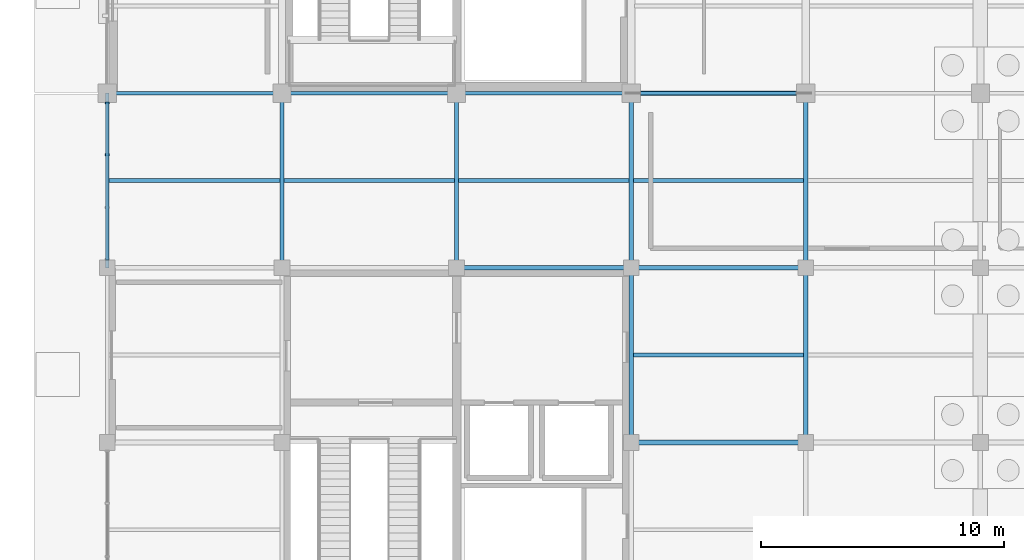
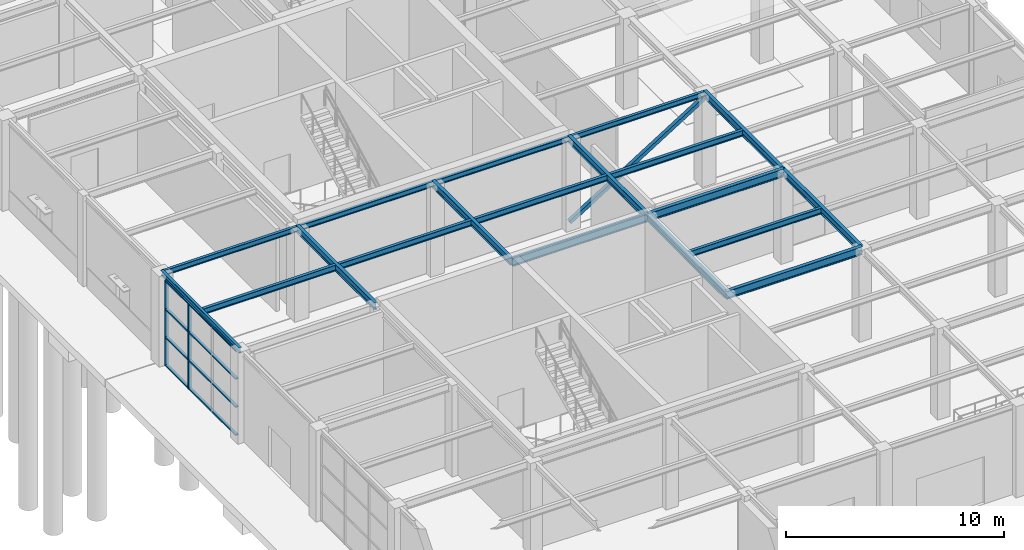
# One storey, part 29 of 75: 19 beams, 7 members, 1 element without a shape of its own.
"""IFC4 building model written with IfcOpenShell, lengths in metres."""

import ifcopenshell
import ifcopenshell.guid

model = None  # the IFC model being written
_history = None  # IfcOwnerHistory: only IFC2X3 demands one
_inside = {}  # id of a spatial element -> (the spatial element, [elements in it])
_under = {}  # id of a project, library or spatial element -> (it, [spatial elements below it])
_declared = {}  # id of a project -> (the project, [libraries it declares])
_typed = {}  # id of a type object -> (the type object, [elements of that type])
_made_of = {}  # id of a material, layer set ... -> (it, [elements and type objects made of it])


def new_model(schema):
    """Start an empty IFC model of exactly this schema.

    Asked for "IFC4X3", IfcOpenShell would pick the latest addendum, in which some entities
    have other attributes; the version numbers below select the first issue.
    IFC2X3 requires an IfcOwnerHistory on every rooted entity: one is made here for all.
    """
    global model, _history
    if schema == "IFC4X3":
        model = ifcopenshell.file(schema_version=(4, 3, 0, 0))
    else:
        model = ifcopenshell.file(schema=schema)
    _inside.clear()
    _under.clear()
    _declared.clear()
    _typed.clear()
    _made_of.clear()
    _history = None
    if model.schema == "IFC2X3":
        org = make("IfcOrganization", Name="unknown")
        user = make(
            "IfcPersonAndOrganization",
            ThePerson=make("IfcPerson", FamilyName="unknown"),
            TheOrganization=org,
        )
        app = make(
            "IfcApplication",
            ApplicationDeveloper=org,
            Version="unknown",
            ApplicationFullName="unknown",
            ApplicationIdentifier="unknown",
        )
        _history = make(
            "IfcOwnerHistory",
            OwningUser=user,
            OwningApplication=app,
            ChangeAction="ADDED",
            CreationDate=0,
        )
    return model


def make(cls, **values):
    """One entity of the class cls with the attributes given. An attribute that is None is left unset."""
    return model.create_entity(
        cls, **{name: value for name, value in values.items() if value is not None}
    )


def rooted(cls, **values):
    """An entity with a GlobalId (a new one), such as an element, a storey or a relation."""
    return make(cls, GlobalId=ifcopenshell.guid.new(), OwnerHistory=_history, **values)


def si_unit(unit_type, name, prefix=None):
    """IfcSIUnit, for example si_unit("LENGTHUNIT", "METRE", prefix="MILLI")."""
    return make("IfcSIUnit", UnitType=unit_type, Prefix=prefix, Name=name)


def assignment(units):
    """IfcUnitAssignment: the units of a project."""
    return None if units is None else make("IfcUnitAssignment", Units=units)


def point(xyz):
    """IfcCartesianPoint."""
    return None if xyz is None else make("IfcCartesianPoint", Coordinates=xyz)


def direction(xyz):
    """IfcDirection."""
    return None if xyz is None else make("IfcDirection", DirectionRatios=xyz)


def frame(location, z_axis=None, x_axis=None):
    """IfcAxis2Placement3D, a coordinate frame: its origin and axes. An axis left out is left unset."""
    return make(
        "IfcAxis2Placement3D",
        Location=point(location),
        Axis=direction(z_axis),
        RefDirection=direction(x_axis),
    )


def frame_2d(location, x_axis=None):
    """IfcAxis2Placement2D, a coordinate frame in the plane: its origin and x axis."""
    return make(
        "IfcAxis2Placement2D", Location=point(location), RefDirection=direction(x_axis)
    )


def origin():
    """The frame at (0, 0, 0) with its axes left unset."""
    return frame((0.0, 0.0, 0.0))


def origin_2d():
    """The frame at (0, 0) in the plane with its x axis left unset."""
    return frame_2d((0.0, 0.0))


def place(relative_to, where):
    """IfcLocalPlacement: puts the frame where relative to a parent placement (None: the world)."""
    return make(
        "IfcLocalPlacement", PlacementRelTo=relative_to, RelativePlacement=where
    )


def context(
    kind, dimensions, precision=None, world=None, true_north=None, identifier=None
):
    """IfcGeometricRepresentationContext, for example the 3D "Model" context."""
    return make(
        "IfcGeometricRepresentationContext",
        ContextIdentifier=identifier,
        ContextType=kind,
        CoordinateSpaceDimension=dimensions,
        Precision=precision,
        WorldCoordinateSystem=world,
        TrueNorth=true_north,
    )


def subcontext(parent, identifier, kind, view, scale=None):
    """IfcGeometricRepresentationSubContext, for example "Body" below "Model"."""
    return make(
        "IfcGeometricRepresentationSubContext",
        ContextIdentifier=identifier,
        ContextType=kind,
        ParentContext=parent,
        TargetScale=scale,
        TargetView=view,
    )


def project(units=None, contexts=None):
    """IfcProject with its units and contexts."""
    return rooted(
        "IfcProject",
        Name="project",
        RepresentationContexts=contexts,
        UnitsInContext=assignment(units),
    )


def spatial(cls, under=None, at=None, **own):
    """A site, building, storey or space (cls), placed at a placement, below another one or the project."""
    s = rooted(cls, ObjectPlacement=at, **own)
    if under is not None:
        _under.setdefault(under.id(), (under, []))[1].append(s)
    return s


def profile(cls, at=None, kind="AREA", **sizes):
    """A parametric profile (cls). Its sizes go by their IFC names, for example OverallWidth=200.0."""
    return make(cls, ProfileType=kind, Position=at, **sizes)


def rectangle(**sizes):
    """IfcRectangleProfileDef."""
    return profile("IfcRectangleProfileDef", **sizes)


def hollow_rectangle(**sizes):
    """IfcRectangleHollowProfileDef."""
    return profile("IfcRectangleHollowProfileDef", **sizes)


def i_section(**sizes):
    """IfcIShapeProfileDef."""
    return profile("IfcIShapeProfileDef", **sizes)


def extrude(swept, where, along, depth):
    """IfcExtrudedAreaSolid: the profile swept, set in the frame where, extruded along a direction by depth."""
    return make(
        "IfcExtrudedAreaSolid",
        SweptArea=swept,
        Position=where,
        ExtrudedDirection=direction(along),
        Depth=depth,
    )


def shape(context_of_items, identifier, shape_type, items):
    """IfcShapeRepresentation: the items that make up one representation, for example the "Body"."""
    return make(
        "IfcShapeRepresentation",
        ContextOfItems=context_of_items,
        RepresentationIdentifier=identifier,
        RepresentationType=shape_type,
        Items=items,
    )


def material(Name=None, Category=None):
    """IfcMaterial."""
    return make("IfcMaterial", Name=Name, Category=Category)


def material_profile(
    of_material, cross_section, Name=None, Category=None, Priority=None
):
    """IfcMaterialProfile: a cross section and its material."""
    return make(
        "IfcMaterialProfile",
        Name=Name,
        Material=of_material,
        Profile=cross_section,
        Priority=Priority,
        Category=Category,
    )


def profile_set(profiles, Name=None, composite=None):
    """IfcMaterialProfileSet."""
    return make(
        "IfcMaterialProfileSet",
        Name=Name,
        MaterialProfiles=profiles,
        CompositeProfile=composite,
    )


def made_of(thing, what):
    """Note that an element or type object is made of a material, layer set ...; save() writes the relation."""
    if what is not None:
        _made_of.setdefault(what.id(), (what, []))[1].append(thing)
    return thing


def type_object(cls, material=None, **own):
    """A type object (cls), such as IfcWallType, which elements share."""
    return made_of(rooted(cls, **own), material)


def element(
    cls,
    number,
    at=None,
    inside=None,
    cuts=None,
    type_object=None,
    material=None,
    context=None,
    identifier="Body",
    shape_type=None,
    held_by="IfcProductDefinitionShape",
    body=None,
    shapes=None,
    **own,
):
    """One element of the class cls, such as IfcWall. Its Tag is "e" and its number.

    at: its placement. inside: the storey or other place that contains it. cuts: it is an
    opening in that element (IfcRelVoidsElement). A single representation is given by context,
    identifier, shape_type and body (its items); several are given by shapes. held_by: the class
    of the entity that holds the representations. save() writes the other relations.
    """
    e = rooted(cls, Tag="e%d" % number, ObjectPlacement=at, **own)
    if body is not None:
        shapes = [shape(context, identifier, shape_type, body)]
    if shapes is not None:
        e.Representation = make(held_by, Representations=shapes)
    if inside is not None:
        _inside.setdefault(inside.id(), (inside, []))[1].append(e)
    if cuts is not None:
        rooted(
            "IfcRelVoidsElement", RelatingBuildingElement=cuts, RelatedOpeningElement=e
        )
    if type_object is not None:
        _typed.setdefault(type_object.id(), (type_object, []))[1].append(e)
    return made_of(e, material)


def aggregate(whole, parts):
    """IfcRelAggregates: a whole, such as a stair, and the parts it consists of."""
    return rooted("IfcRelAggregates", RelatingObject=whole, RelatedObjects=parts)


def save(model, path):
    """Write the relations noted so far, then the file.

    IfcRelAggregates (storeys below a building ...), IfcRelContainedInSpatialStructure (elements
    in a storey), IfcRelDefinesByType, IfcRelAssociatesMaterial and IfcRelDeclares: one each for
    every whole, place, type object, material and project.
    """
    for whole, parts in _under.values():
        aggregate(whole, parts)
    for where, things in _inside.values():
        rooted(
            "IfcRelContainedInSpatialStructure",
            RelatedElements=things,
            RelatingStructure=where,
        )
    for kind, things in _typed.values():
        rooted("IfcRelDefinesByType", RelatedObjects=things, RelatingType=kind)
    for what, things in _made_of.values():
        rooted("IfcRelAssociatesMaterial", RelatedObjects=things, RelatingMaterial=what)
    for by, libraries in _declared.values():
        rooted("IfcRelDeclares", RelatingContext=by, RelatedDefinitions=libraries)
    model.write(path)


model = new_model("IFC4")

# Units and contexts
model_context = context("Model", 3, precision=1e-05, world=origin(), true_north=direction((0.0, 1.0)))
body_context = subcontext(model_context, "Body", "Model", "MODEL_VIEW")
ifc_project = project(units=[si_unit("LENGTHUNIT", "METRE"), si_unit("AREAUNIT", "SQUARE_METRE"), si_unit("VOLUMEUNIT", "CUBIC_METRE"), si_unit("PLANEANGLEUNIT", "RADIAN"), si_unit("MASSUNIT", "GRAM", prefix="KILO")], contexts=[model_context])

# Site, building, storey
site_placement = place(None, origin())
site = spatial("IfcSite", under=ifc_project, at=site_placement, CompositionType="ELEMENT")
building_placement = place(site_placement, origin())
building = spatial("IfcBuilding", under=site, at=building_placement, Name="Leyfeld Transit Interchange", CompositionType="ELEMENT")
storey_placement = place(building_placement, origin())
storey = spatial("IfcBuildingStorey", under=building, at=storey_placement, Name="L00", CompositionType="ELEMENT", Elevation=0.0)

# Beams
ifc_material_1 = material(Name="Steel S355J2", Category="steel")
ifc_material_profile_1 = material_profile(ifc_material_1, i_section(OverallWidth=0.14990234375, OverallDepth=0.300048828125, WebThickness=0.007080078125, FlangeThickness=0.0107421875, FilletRadius=0.014892578125, at=origin_2d()), Name="IPE 300")
ifc_profile_set_1 = profile_set([ifc_material_profile_1], Name="Steel S355J2")
beam_type_1 = type_object("IfcBeamType", Name="BM-STL-IPE300", PredefinedType="SPANDREL", material=ifc_profile_set_1)
beam_1_placement = place(storey_placement, frame((0.0, 86.39990234375, 4.969970703125), z_axis=(0.0, 1.0, 0.0), x_axis=(-1.0, 0.0, 0.0)))
element("IfcBeam", 1, at=beam_1_placement, inside=storey, type_object=beam_type_1, Name="Beam BM-L00-0000_0864-0000_0936", PredefinedType="SPANDREL", context=body_context, shape_type="SweptSolid", body=[
    extrude(i_section(OverallWidth=0.14990234375, OverallDepth=0.300048828125, WebThickness=0.007080078125, FlangeThickness=0.0107421875, FilletRadius=0.014892578125, at=origin_2d()), origin(), (0.0, 0.0, 1.0), 7.2001953125),
])
for number, where, z_axis, x_axis, name in (
    (2, (0.0, 93.60009765625, 4.929931640625), (1.0, 0.0, 0.0), (0.0, 1.0, 0.0), "Beam BM-L00-0000_0936-0072_0936"),
    (3, (7.199951171875, 93.60009765625, 4.929931640625), (1.0, 0.0, 0.0), (0.0, 1.0, 0.0), "Beam BM-L00-0072_0936-0144_0936"),
):
    element("IfcBeam", number, at=place(storey_placement, frame(where, z_axis=z_axis, x_axis=x_axis)), inside=storey, type_object=beam_type_1, Name=name, PredefinedType="SPANDREL", context=body_context, shape_type="SweptSolid", body=[
        extrude(i_section(OverallWidth=0.14990234375, OverallDepth=0.300048828125, WebThickness=0.007080078125, FlangeThickness=0.0107421875, FilletRadius=0.014892578125, at=origin_2d()), origin(), (0.0, 0.0, 1.0), 7.199951171875),
    ])
beam_2_placement = place(storey_placement, frame((14.39990234375, 93.60009765625, 4.929931640625), z_axis=(1.0, 0.0, 0.0), x_axis=(0.0, 1.0, 0.0)))
element("IfcBeam", 4, at=beam_2_placement, inside=storey, type_object=beam_type_1, Name="Beam BM-L00-0144_0936-0216_0936", PredefinedType="SPANDREL", context=body_context, shape_type="SweptSolid", body=[
    extrude(i_section(OverallWidth=0.14990234375, OverallDepth=0.300048828125, WebThickness=0.007080078125, FlangeThickness=0.0107421875, FilletRadius=0.014892578125, at=origin_2d()), origin(), (0.0, 0.0, 1.0), 7.2001953125),
])
beam_3_placement = place(storey_placement, frame((21.60009765625, 93.60009765625, 4.929931640625), z_axis=(1.0, 0.0, 0.0), x_axis=(0.0, 1.0, 0.0)))
element("IfcBeam", 5, at=beam_3_placement, inside=storey, type_object=beam_type_1, Name="Beam BM-L00-0216_0936-0288_0936", PredefinedType="SPANDREL", context=body_context, shape_type="SweptSolid", body=[
    extrude(i_section(OverallWidth=0.14990234375, OverallDepth=0.300048828125, WebThickness=0.007080078125, FlangeThickness=0.0107421875, FilletRadius=0.014892578125, at=origin_2d()), origin(), (0.0, 0.0, 1.0), 7.199951171875),
])
ifc_material_profile_2 = material_profile(ifc_material_1, i_section(OverallWidth=0.159912109375, OverallDepth=0.330078125, WebThickness=0.007568359375, FlangeThickness=0.011474609375, FilletRadius=0.01806640625, at=origin_2d()), Name="IPE 330")
ifc_profile_set_2 = profile_set([ifc_material_profile_2], Name="Steel S355J2")
beam_type_2 = type_object("IfcBeamType", Name="BM-STL-IPE330", PredefinedType="BEAM", material=ifc_profile_set_2)
beam_4_placement = place(storey_placement, frame((21.68701171875, 82.800048828125, 4.955078125), z_axis=(1.0, 0.0, 0.0), x_axis=(0.0, 1.0, 0.0)))
element("IfcBeam", 6, at=beam_4_placement, inside=storey, type_object=beam_type_2, Name="Beam BM-L00-0217_0828-0287_0828", PredefinedType="BEAM", context=body_context, shape_type="SweptSolid", body=[
    extrude(i_section(OverallWidth=0.159912109375, OverallDepth=0.330078125, WebThickness=0.007568359375, FlangeThickness=0.011474609375, FilletRadius=0.01806640625, at=origin_2d()), origin(), (0.0, 0.0, 1.0), 7.02587890625),
])
beam_5_placement = place(storey_placement, frame((0.072021484375, 90.0, 4.955078125), z_axis=(1.0, 0.0, 0.0), x_axis=(0.0, 1.0, 0.0)))
element("IfcBeam", 7, at=beam_5_placement, inside=storey, type_object=beam_type_2, Name="Beam BM-L00-0001_0900-0071_0900", PredefinedType="BEAM", context=body_context, shape_type="SweptSolid", body=[
    extrude(i_section(OverallWidth=0.159912109375, OverallDepth=0.330078125, WebThickness=0.007568359375, FlangeThickness=0.011474609375, FilletRadius=0.01806640625, at=origin_2d()), origin(), (0.0, 0.0, 1.0), 7.041015625),
])
for number, where, z_axis, x_axis, name in (
    (8, (7.287109375, 90.0, 4.955078125), (1.0, 0.0, 0.0), (0.0, 1.0, 0.0), "Beam BM-L00-0073_0900-0143_0900"),
    (9, (14.487060546875, 90.0, 4.955078125), (1.0, 0.0, 0.0), (0.0, 1.0, 0.0), "Beam BM-L00-0145_0900-0215_0900"),
    (10, (21.68701171875, 90.0, 4.955078125), (1.0, 0.0, 0.0), (0.0, 1.0, 0.0), "Beam BM-L00-0217_0900-0287_0900"),
):
    element("IfcBeam", number, at=place(storey_placement, frame(where, z_axis=z_axis, x_axis=x_axis)), inside=storey, type_object=beam_type_2, Name=name, PredefinedType="BEAM", context=body_context, shape_type="SweptSolid", body=[
        extrude(i_section(OverallWidth=0.159912109375, OverallDepth=0.330078125, WebThickness=0.007568359375, FlangeThickness=0.011474609375, FilletRadius=0.01806640625, at=origin_2d()), origin(), (0.0, 0.0, 1.0), 7.02587890625),
    ])
ifc_material_profile_3 = material_profile(ifc_material_1, i_section(OverallWidth=0.179931640625, OverallDepth=0.39990234375, WebThickness=0.008544921875, FlangeThickness=0.013427734375, FilletRadius=0.02099609375, at=origin_2d()), Name="IPE 400")
ifc_profile_set_3 = profile_set([ifc_material_profile_3], Name="Steel S355J2")
beam_type_3 = type_object("IfcBeamType", Name="BM-STL-IPE400", PredefinedType="BEAM", material=ifc_profile_set_3)
for number, where, z_axis, x_axis, name in (
    (11, (7.199951171875, 86.39990234375, 4.919921875), (0.0, 1.0, 0.0), (-1.0, 0.0, 0.0), "Beam BM-L00-0072_0864-0072_0936"),
    (12, (14.39990234375, 86.39990234375, 4.919921875), (0.0, 1.0, 0.0), (-1.0, 0.0, 0.0), "Beam BM-L00-0144_0864-0144_0936"),
):
    element("IfcBeam", number, at=place(storey_placement, frame(where, z_axis=z_axis, x_axis=x_axis)), inside=storey, type_object=beam_type_3, Name=name, PredefinedType="BEAM", context=body_context, shape_type="SweptSolid", body=[
        extrude(i_section(OverallWidth=0.179931640625, OverallDepth=0.39990234375, WebThickness=0.008544921875, FlangeThickness=0.013427734375, FilletRadius=0.02099609375, at=origin_2d()), origin(), (0.0, 0.0, 1.0), 7.2001953125),
    ])
beam_6_placement = place(storey_placement, frame((21.60009765625, 79.199951171875, 4.919921875), z_axis=(0.0, 1.0, 0.0), x_axis=(-1.0, 0.0, 0.0)))
element("IfcBeam", 13, at=beam_6_placement, inside=storey, type_object=beam_type_3, Name="Beam BM-L00-0216_0792-0216_0864", PredefinedType="BEAM", context=body_context, shape_type="SweptSolid", body=[
    extrude(i_section(OverallWidth=0.179931640625, OverallDepth=0.39990234375, WebThickness=0.008544921875, FlangeThickness=0.013427734375, FilletRadius=0.02099609375, at=origin_2d()), origin(), (0.0, 0.0, 1.0), 7.199951171875),
])
beam_7_placement = place(storey_placement, frame((21.60009765625, 86.39990234375, 4.919921875), z_axis=(0.0, 1.0, 0.0), x_axis=(-1.0, 0.0, 0.0)))
element("IfcBeam", 14, at=beam_7_placement, inside=storey, type_object=beam_type_3, Name="Beam BM-L00-0216_0864-0216_0936", PredefinedType="BEAM", context=body_context, shape_type="SweptSolid", body=[
    extrude(i_section(OverallWidth=0.179931640625, OverallDepth=0.39990234375, WebThickness=0.008544921875, FlangeThickness=0.013427734375, FilletRadius=0.02099609375, at=origin_2d()), origin(), (0.0, 0.0, 1.0), 7.2001953125),
])
beam_8_placement = place(storey_placement, frame((28.800048828125, 79.199951171875, 4.919921875), z_axis=(0.0, 1.0, 0.0), x_axis=(-1.0, 0.0, 0.0)))
element("IfcBeam", 15, at=beam_8_placement, inside=storey, type_object=beam_type_3, Name="Beam BM-L00-0288_0792-0288_0864", PredefinedType="BEAM", context=body_context, shape_type="SweptSolid", body=[
    extrude(i_section(OverallWidth=0.179931640625, OverallDepth=0.39990234375, WebThickness=0.008544921875, FlangeThickness=0.013427734375, FilletRadius=0.02099609375, at=origin_2d()), origin(), (0.0, 0.0, 1.0), 7.199951171875),
])
beam_9_placement = place(storey_placement, frame((28.800048828125, 86.39990234375, 4.919921875), z_axis=(0.0, 1.0, 0.0), x_axis=(-1.0, 0.0, 0.0)))
element("IfcBeam", 16, at=beam_9_placement, inside=storey, type_object=beam_type_3, Name="Beam BM-L00-0288_0864-0288_0936", PredefinedType="BEAM", context=body_context, shape_type="SweptSolid", body=[
    extrude(i_section(OverallWidth=0.179931640625, OverallDepth=0.39990234375, WebThickness=0.008544921875, FlangeThickness=0.013427734375, FilletRadius=0.02099609375, at=origin_2d()), origin(), (0.0, 0.0, 1.0), 7.2001953125),
])
ifc_material_profile_4 = material_profile(ifc_material_1, i_section(OverallWidth=0.18994140625, OverallDepth=0.449951171875, WebThickness=0.009521484375, FlangeThickness=0.0146484375, FilletRadius=0.02099609375, at=origin_2d()), Name="IPE 450")
ifc_profile_set_4 = profile_set([ifc_material_profile_4], Name="Steel S355J2")
beam_type_4 = type_object("IfcBeamType", Name="BM-STL-IPE450", PredefinedType="BEAM", material=ifc_profile_set_4)
beam_10_placement = place(storey_placement, frame((21.60009765625, 79.199951171875, 4.89501953125), z_axis=(1.0, 0.0, 0.0), x_axis=(0.0, 1.0, 0.0)))
element("IfcBeam", 17, at=beam_10_placement, inside=storey, type_object=beam_type_4, Name="Beam BM-L00-0216_0792-0288_0792", PredefinedType="BEAM", context=body_context, shape_type="SweptSolid", body=[
    extrude(i_section(OverallWidth=0.18994140625, OverallDepth=0.449951171875, WebThickness=0.009521484375, FlangeThickness=0.0146484375, FilletRadius=0.02099609375, at=origin_2d()), origin(), (0.0, 0.0, 1.0), 7.199951171875),
])
beam_11_placement = place(storey_placement, frame((14.39990234375, 86.39990234375, 4.89501953125), z_axis=(1.0, 0.0, 0.0), x_axis=(0.0, 1.0, 0.0)))
element("IfcBeam", 18, at=beam_11_placement, inside=storey, type_object=beam_type_4, Name="Beam BM-L00-0144_0864-0216_0864", PredefinedType="BEAM", context=body_context, shape_type="SweptSolid", body=[
    extrude(i_section(OverallWidth=0.18994140625, OverallDepth=0.449951171875, WebThickness=0.009521484375, FlangeThickness=0.0146484375, FilletRadius=0.02099609375, at=origin_2d()), origin(), (0.0, 0.0, 1.0), 7.2001953125),
])
beam_12_placement = place(storey_placement, frame((21.60009765625, 86.39990234375, 4.89501953125), z_axis=(1.0, 0.0, 0.0), x_axis=(0.0, 1.0, 0.0)))
element("IfcBeam", 19, at=beam_12_placement, inside=storey, type_object=beam_type_4, Name="Beam BM-L00-0216_0864-0288_0864", PredefinedType="BEAM", context=body_context, shape_type="SweptSolid", body=[
    extrude(i_section(OverallWidth=0.18994140625, OverallDepth=0.449951171875, WebThickness=0.009521484375, FlangeThickness=0.0146484375, FilletRadius=0.02099609375, at=origin_2d()), origin(), (0.0, 0.0, 1.0), 7.199951171875),
])

# Curtain wall, members
ifc_material_2 = material(Name="Anodised aluminium EN AW-6060 T66", Category="aluminium")
curtain_wall_type = type_object("IfcCurtainWallType", Name="CW-SYS-CYC-7200", PredefinedType="NOTDEFINED", material=ifc_material_2)
curtain_wall_placement = place(storey_placement, origin())
curtain_wall = element("IfcCurtainWall", 20, at=curtain_wall_placement, inside=storey, type_object=curtain_wall_type, Name="Curtain Wall CW-L00-008", PredefinedType="NOTDEFINED")
ifc_material_profile_5 = material_profile(ifc_material_2, rectangle(XDim=0.06494140625, YDim=0.179931640625, at=origin_2d()), Name="CW-M 65x180")
ifc_profile_set_5 = profile_set([ifc_material_profile_5], Name="Anodised aluminium EN AW-6060 T66")
member_type_1 = type_object("IfcMemberType", Name="CW-MUL-150x65", PredefinedType="MULLION", material=ifc_profile_set_5)
member_1_placement = place(storey_placement, frame((0.0, 91.061767578125, 0.0), z_axis=(0.0, 0.0, 1.0), x_axis=(0.0, 1.0, 0.0)))
member_1 = element("IfcMember", 21, at=member_1_placement, type_object=member_type_1, Name="Curtain Mullion CW-L00-008-M03", PredefinedType="MULLION", context=body_context, shape_type="SweptSolid", body=[
    extrude(rectangle(XDim=0.06494140625, YDim=0.179931640625, at=origin_2d()), origin(), (0.0, 0.0, 1.0), 4.7900390625),
])
member_2_placement = place(storey_placement, frame((0.0, 93.202392578125, 0.0), z_axis=(0.0, 0.0, 1.0), x_axis=(0.0, 1.0, 0.0)))
member_2 = element("IfcMember", 22, at=member_2_placement, type_object=member_type_1, Name="Curtain Mullion CW-L00-008-M04", PredefinedType="MULLION", context=body_context, shape_type="SweptSolid", body=[
    extrude(rectangle(XDim=0.06494140625, YDim=0.179931640625, at=origin_2d()), origin(), (0.0, 0.0, 1.0), 4.7900390625),
])
ifc_material_profile_6 = material_profile(ifc_material_2, rectangle(XDim=0.14990234375, YDim=0.06494140625, at=origin_2d()), Name="CW-TRN-135x65")
ifc_profile_set_6 = profile_set([ifc_material_profile_6], Name="Anodised aluminium EN AW-6060 T66")
member_type_2 = type_object("IfcMemberType", Name="CW-TRN-135x65", PredefinedType="USERDEFINED", material=ifc_profile_set_6)
member_3_placement = place(storey_placement, frame((0.0, 86.715087890625, 0.032470703125), z_axis=(0.0, 1.0, 0.0), x_axis=(-1.0, 0.0, 0.0)))
member_3 = element("IfcMember", 23, at=member_3_placement, type_object=member_type_2, Name="Curtain Transom CW-L00-008-T01", ObjectType="TRANSOM", PredefinedType="USERDEFINED", context=body_context, shape_type="SweptSolid", body=[
    extrude(rectangle(XDim=0.14990234375, YDim=0.06494140625, at=origin_2d()), origin(), (0.0, 0.0, 1.0), 6.52001953125),
])
member_4_placement = place(storey_placement, frame((0.0, 86.715087890625, 1.607421875), z_axis=(0.0, 1.0, 0.0), x_axis=(-1.0, 0.0, 0.0)))
member_4 = element("IfcMember", 24, at=member_4_placement, type_object=member_type_2, Name="Curtain Transom CW-L00-008-T02", ObjectType="TRANSOM", PredefinedType="USERDEFINED", context=body_context, shape_type="SweptSolid", body=[
    extrude(rectangle(XDim=0.14990234375, YDim=0.06494140625, at=origin_2d()), origin(), (0.0, 0.0, 1.0), 6.52001953125),
])
member_5_placement = place(storey_placement, frame((0.0, 86.715087890625, 3.1826171875), z_axis=(0.0, 1.0, 0.0), x_axis=(-1.0, 0.0, 0.0)))
member_5 = element("IfcMember", 25, at=member_5_placement, type_object=member_type_2, Name="Curtain Transom CW-L00-008-T03", ObjectType="TRANSOM", PredefinedType="USERDEFINED", context=body_context, shape_type="SweptSolid", body=[
    extrude(rectangle(XDim=0.14990234375, YDim=0.06494140625, at=origin_2d()), origin(), (0.0, 0.0, 1.0), 6.52001953125),
])
member_6_placement = place(storey_placement, frame((0.0, 86.715087890625, 4.757568359375), z_axis=(0.0, 1.0, 0.0), x_axis=(-1.0, 0.0, 0.0)))
member_6 = element("IfcMember", 26, at=member_6_placement, type_object=member_type_2, Name="Curtain Transom CW-L00-008-T04", ObjectType="TRANSOM", PredefinedType="USERDEFINED", context=body_context, shape_type="SweptSolid", body=[
    extrude(rectangle(XDim=0.14990234375, YDim=0.06494140625, at=origin_2d()), origin(), (0.0, 0.0, 1.0), 6.52001953125),
])
aggregate(curtain_wall, [member_1, member_2, member_3, member_4, member_5, member_6])

# Member
ifc_material_profile_7 = material_profile(ifc_material_1, hollow_rectangle(XDim=0.199951171875, YDim=0.199951171875, WallThickness=0.010009765625, at=origin_2d()), Name="SHS 200x200x10")
ifc_profile_set_7 = profile_set([ifc_material_profile_7], Name="Steel S355J2")
member_type_3 = type_object("IfcMemberType", Name="MEM-BRC-SHS200", PredefinedType="BRACE", material=ifc_profile_set_7)
member_7_placement = place(storey_placement, frame((21.60009765625, 93.60009765625, 0.25), z_axis=(0.847996688584, 0.0, 0.530001524668), x_axis=(0.0, 1.0, 0.0)))
element("IfcMember", 27, at=member_7_placement, inside=storey, type_object=member_type_3, Name="Lateral Diagonal Brace 001", PredefinedType="BRACE", context=body_context, shape_type="SweptSolid", body=[
    extrude(hollow_rectangle(XDim=0.199951171875, YDim=0.199951171875, WallThickness=0.010009765625, at=origin_2d()), origin(), (0.0, 0.0, 1.0), 8.490478515625),
])

save(model, "model.ifc")
